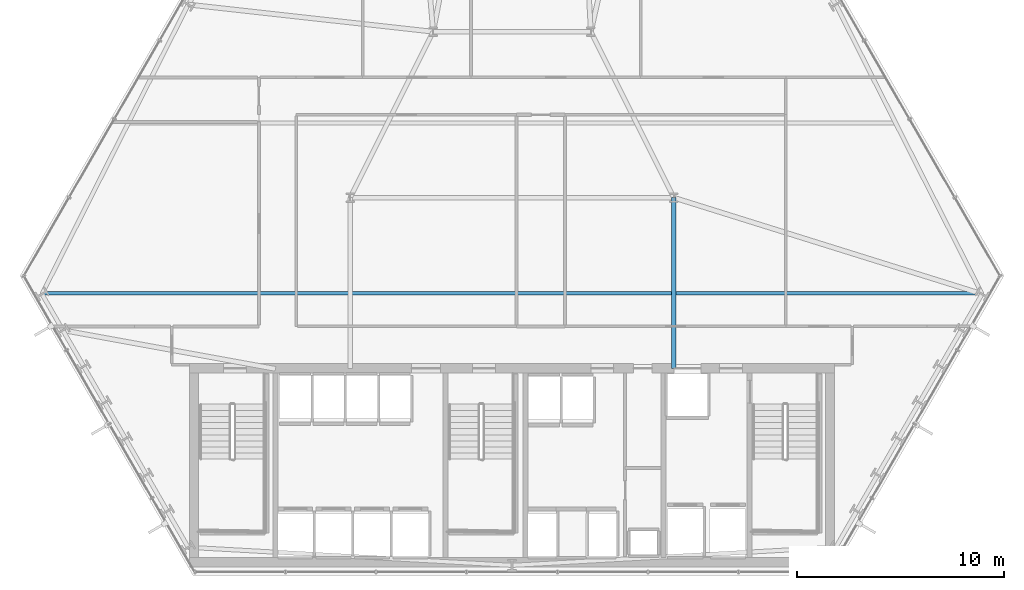
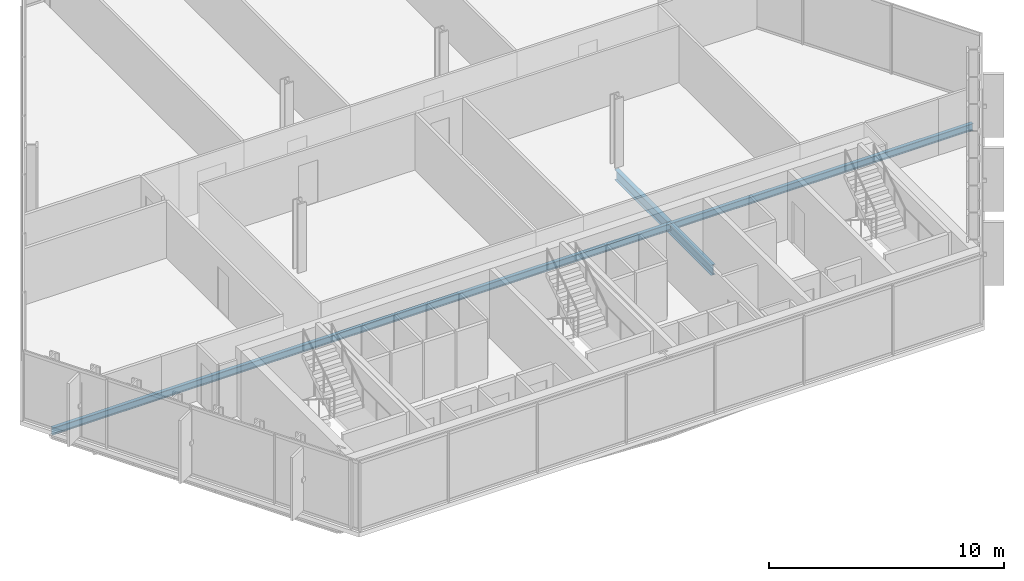
# One storey, part 9 of 33: 2 beams.
"""IFC4 building model written with IfcOpenShell, lengths in metres."""

from ifc_helpers import new_model, si_unit, direction, frame, origin, origin_2d, place, context, subcontext, project, spatial, i_section, extrude, material, material_profile, profile_set, type_object, element, save


model = new_model("IFC4")

# Units and contexts
model_context = context("Model", 3, precision=1e-05, world=origin(), true_north=direction((0.0, 1.0)))
body_context = subcontext(model_context, "Body", "Model", "MODEL_VIEW")
ifc_project = project(units=[si_unit("LENGTHUNIT", "METRE"), si_unit("AREAUNIT", "SQUARE_METRE"), si_unit("VOLUMEUNIT", "CUBIC_METRE"), si_unit("PLANEANGLEUNIT", "RADIAN"), si_unit("MASSUNIT", "GRAM", prefix="KILO")], contexts=[model_context])

# Site, building, storey
site_placement = place(None, origin())
site = spatial("IfcSite", under=ifc_project, at=site_placement, CompositionType="ELEMENT")
building_placement = place(site_placement, origin())
building = spatial("IfcBuilding", under=site, at=building_placement, Name="Ndaravel Arena Tower", CompositionType="ELEMENT")
storey_placement = place(building_placement, frame((0.0, 0.0, 36.0)))
storey = spatial("IfcBuildingStorey", under=building, at=storey_placement, Name="L06", CompositionType="ELEMENT", Elevation=36.0)

# Beams
ifc_material_1 = material(Name="Steel S355", Category="steel")
ifc_material_profile_1 = material_profile(ifc_material_1, i_section(OverallWidth=0.210693359375, OverallDepth=0.53955078125, WebThickness=0.01171875, FlangeThickness=0.018798828125, FilletRadius=0.0126953125, at=origin_2d()), Name="UB 533x210x109")
ifc_profile_set_1 = profile_set([ifc_material_profile_1], Name="Steel S355")
beam_type_1 = type_object("IfcBeamType", Name="BM-GIRD-UB533", PredefinedType="BEAM", material=ifc_profile_set_1)
beam_1_placement = place(storey_placement, frame((49.800048828125, 14.97998046875, -0.48974609375), z_axis=(0.0, 1.0, 0.0), x_axis=(-1.0, 0.0, 0.0)))
element("IfcBeam", 1, at=beam_1_placement, inside=storey, type_object=beam_type_1, Name="L06 Spine Link Girder SLG-02", PredefinedType="BEAM", context=body_context, shape_type="SweptSolid", body=[
    extrude(i_section(OverallWidth=0.210693359375, OverallDepth=0.53955078125, WebThickness=0.01171875, FlangeThickness=0.018798828125, FilletRadius=0.0126953125, at=origin_2d()), origin(), (0.0, 0.0, 1.0), 8.219970703125),
])
ifc_material_2 = material(Name="Steel S355", Category="steel")
ifc_material_profile_2 = material_profile(ifc_material_2, i_section(OverallWidth=0.169921875, OverallDepth=0.360107421875, WebThickness=0.008056640625, FlangeThickness=0.0126953125, FilletRadius=0.01806640625, at=origin_2d()), Name="IPE 360")
ifc_profile_set_2 = profile_set([ifc_material_profile_2], Name="Steel S355")
beam_type_2 = type_object("IfcBeamType", Name="BM-JOIST-IPE360", PredefinedType="JOIST", material=ifc_profile_set_2)
beam_2_placement = place(storey_placement, frame((19.3671875, 18.60009765625, -0.39990234375), z_axis=(1.0, 0.0, 0.0), x_axis=(0.0, 1.0, 0.0)))
element("IfcBeam", 2, at=beam_2_placement, inside=storey, type_object=beam_type_2, Name="L06 Composite Floor Joist FJ-01", PredefinedType="JOIST", context=body_context, shape_type="SweptSolid", body=[
    extrude(i_section(OverallWidth=0.169921875, OverallDepth=0.360107421875, WebThickness=0.008056640625, FlangeThickness=0.0126953125, FilletRadius=0.01806640625, at=origin_2d()), origin(), (0.0, 0.0, 1.0), 45.265625),
])

save(model, "model.ifc")
